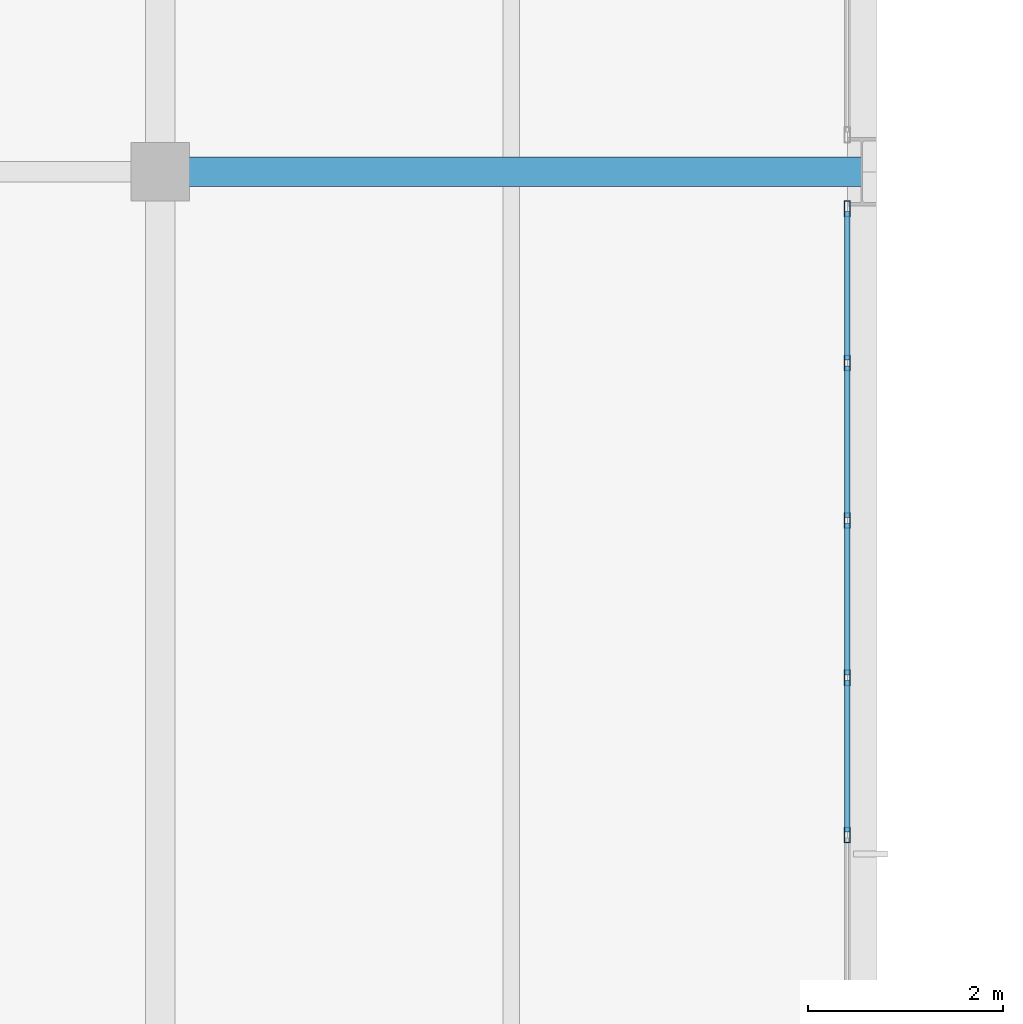
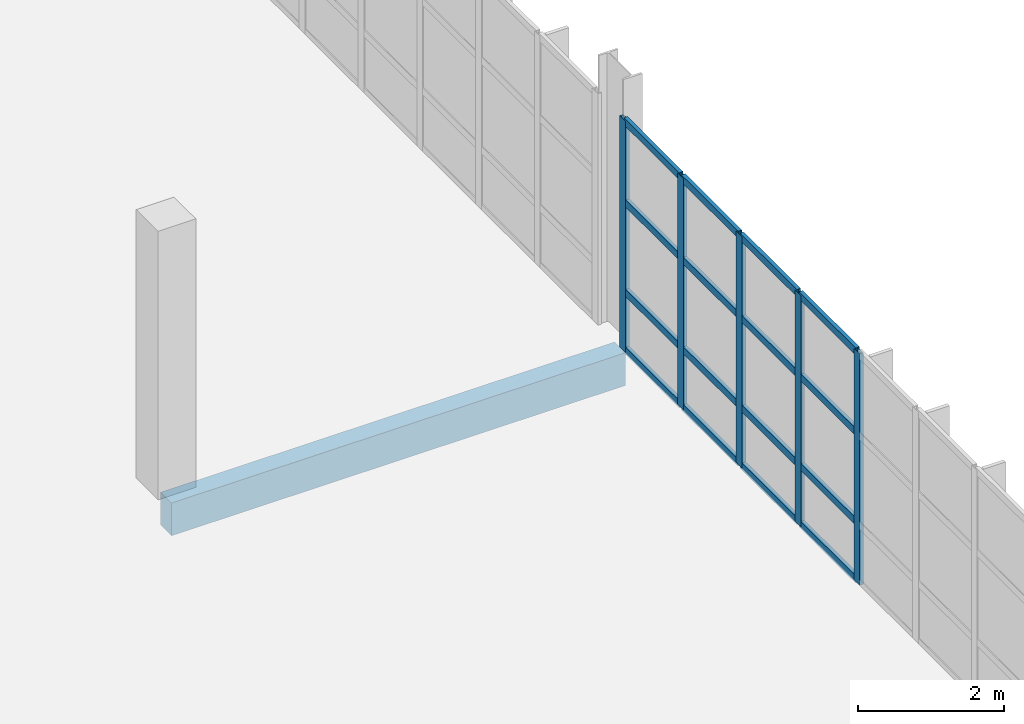
# One storey, part 80 of 113: 21 members, 1 beam, 1 element without a shape of its own.
"""IFC4 building model written with IfcOpenShell, lengths in metres."""

from ifc_helpers import new_model, si_unit, direction, frame, origin, origin_2d, place, context, subcontext, project, spatial, rectangle, hollow_rectangle, extrude, material, material_profile, profile_set, type_object, element, aggregate, save


model = new_model("IFC4")

# Units and contexts
model_context = context("Model", 3, precision=1e-05, world=origin(), true_north=direction((0.0, 1.0)))
body_context = subcontext(model_context, "Body", "Model", "MODEL_VIEW")
ifc_project = project(units=[si_unit("LENGTHUNIT", "METRE"), si_unit("AREAUNIT", "SQUARE_METRE"), si_unit("VOLUMEUNIT", "CUBIC_METRE"), si_unit("PLANEANGLEUNIT", "RADIAN"), si_unit("MASSUNIT", "GRAM", prefix="KILO")], contexts=[model_context])

# Site, building, storey
site_placement = place(None, origin())
site = spatial("IfcSite", under=ifc_project, at=site_placement, CompositionType="ELEMENT")
building_placement = place(site_placement, origin())
building = spatial("IfcBuilding", under=site, at=building_placement, Name="Veltarok Museum of Natural Sciences", CompositionType="ELEMENT")
storey_placement = place(building_placement, frame((0.0, 0.0, 8.39990234375)))
storey = spatial("IfcBuildingStorey", under=building, at=storey_placement, Name="L01", CompositionType="ELEMENT", Elevation=8.39990234375)

# Curtain wall, members
ifc_material_1 = material(Name="Low-iron triple insulated glass", Category="glass")
curtain_wall_type = type_object("IfcCurtainWallType", Name="Curtain Wall System CW-V5E-L01-F-1130x388 (V5 East Lab L01 F-G 1130x388cm)", PredefinedType="NOTDEFINED", material=ifc_material_1)
curtain_wall_placement = place(storey_placement, origin())
curtain_wall = element("IfcCurtainWall", 1, at=curtain_wall_placement, inside=storey, type_object=curtain_wall_type, Name="Curtain Wall CW-V5E-L01-F-1130x388 CW-0107", PredefinedType="NOTDEFINED")
ifc_material_2 = material(Name="Thermally broken anodised aluminium", Category="aluminium")
ifc_material_profile_1 = material_profile(ifc_material_2, hollow_rectangle(XDim=0.06005859375, YDim=0.1201171875, WallThickness=0.0048828125, at=origin_2d()), Name="CW TRANSOM 60x120x5")
ifc_profile_set_1 = profile_set([ifc_material_profile_1], Name="Thermally broken anodised aluminium")
member_type_1 = type_object("IfcMemberType", Name="Curtain Wall Horizontal Transom 60x120x5", PredefinedType="USERDEFINED", material=ifc_profile_set_1)
member_1_placement = place(storey_placement, frame((164.64990234375, 53.222900390625, 0.030029296875), z_axis=(0.0, 1.0, 0.0), x_axis=(-1.0, 0.0, 0.0)))
member_1 = element("IfcMember", 2, at=member_1_placement, type_object=member_type_1, Name="CW-V5E-L01-F-1130x388 transom 4.1", ObjectType="TRANSOM", PredefinedType="USERDEFINED", context=body_context, shape_type="SweptSolid", body=[
    extrude(hollow_rectangle(XDim=0.06005859375, YDim=0.1201171875, WallThickness=0.0048828125, at=origin_2d()), origin(), (0.0, 0.0, 1.0), 1.55419921875),
])
member_2_placement = place(storey_placement, frame((164.64990234375, 53.222900390625, 1.0), z_axis=(0.0, 1.0, 0.0), x_axis=(-1.0, 0.0, 0.0)))
member_2 = element("IfcMember", 3, at=member_2_placement, type_object=member_type_1, Name="CW-V5E-L01-F-1130x388 transom 4.2", ObjectType="TRANSOM", PredefinedType="USERDEFINED", context=body_context, shape_type="SweptSolid", body=[
    extrude(hollow_rectangle(XDim=0.06005859375, YDim=0.1201171875, WallThickness=0.0048828125, at=origin_2d()), origin(), (0.0, 0.0, 1.0), 1.55419921875),
])
member_3_placement = place(storey_placement, frame((164.64990234375, 53.222900390625, 2.5), z_axis=(0.0, 1.0, 0.0), x_axis=(-1.0, 0.0, 0.0)))
member_3 = element("IfcMember", 4, at=member_3_placement, type_object=member_type_1, Name="CW-V5E-L01-F-1130x388 transom 4.3", ObjectType="TRANSOM", PredefinedType="USERDEFINED", context=body_context, shape_type="SweptSolid", body=[
    extrude(hollow_rectangle(XDim=0.06005859375, YDim=0.1201171875, WallThickness=0.0048828125, at=origin_2d()), origin(), (0.0, 0.0, 1.0), 1.55419921875),
])
member_4_placement = place(storey_placement, frame((164.64990234375, 53.222900390625, 3.85009765625), z_axis=(0.0, 1.0, 0.0), x_axis=(-1.0, 0.0, 0.0)))
member_4 = element("IfcMember", 5, at=member_4_placement, type_object=member_type_1, Name="CW-V5E-L01-F-1130x388 transom 4.4", ObjectType="TRANSOM", PredefinedType="USERDEFINED", context=body_context, shape_type="SweptSolid", body=[
    extrude(hollow_rectangle(XDim=0.06005859375, YDim=0.1201171875, WallThickness=0.0048828125, at=origin_2d()), origin(), (0.0, 0.0, 1.0), 1.55419921875),
])
member_5_placement = place(storey_placement, frame((164.64990234375, 54.837158203125, 0.030029296875), z_axis=(0.0, 1.0, 0.0), x_axis=(-1.0, 0.0, 0.0)))
member_5 = element("IfcMember", 6, at=member_5_placement, type_object=member_type_1, Name="CW-V5E-L01-F-1130x388 transom 5.1", ObjectType="TRANSOM", PredefinedType="USERDEFINED", context=body_context, shape_type="SweptSolid", body=[
    extrude(hollow_rectangle(XDim=0.06005859375, YDim=0.1201171875, WallThickness=0.0048828125, at=origin_2d()), origin(), (0.0, 0.0, 1.0), 1.55419921875),
])
member_6_placement = place(storey_placement, frame((164.64990234375, 54.837158203125, 1.0), z_axis=(0.0, 1.0, 0.0), x_axis=(-1.0, 0.0, 0.0)))
member_6 = element("IfcMember", 7, at=member_6_placement, type_object=member_type_1, Name="CW-V5E-L01-F-1130x388 transom 5.2", ObjectType="TRANSOM", PredefinedType="USERDEFINED", context=body_context, shape_type="SweptSolid", body=[
    extrude(hollow_rectangle(XDim=0.06005859375, YDim=0.1201171875, WallThickness=0.0048828125, at=origin_2d()), origin(), (0.0, 0.0, 1.0), 1.55419921875),
])
member_7_placement = place(storey_placement, frame((164.64990234375, 54.837158203125, 2.5), z_axis=(0.0, 1.0, 0.0), x_axis=(-1.0, 0.0, 0.0)))
member_7 = element("IfcMember", 8, at=member_7_placement, type_object=member_type_1, Name="CW-V5E-L01-F-1130x388 transom 5.3", ObjectType="TRANSOM", PredefinedType="USERDEFINED", context=body_context, shape_type="SweptSolid", body=[
    extrude(hollow_rectangle(XDim=0.06005859375, YDim=0.1201171875, WallThickness=0.0048828125, at=origin_2d()), origin(), (0.0, 0.0, 1.0), 1.55419921875),
])
member_8_placement = place(storey_placement, frame((164.64990234375, 54.837158203125, 3.85009765625), z_axis=(0.0, 1.0, 0.0), x_axis=(-1.0, 0.0, 0.0)))
member_8 = element("IfcMember", 9, at=member_8_placement, type_object=member_type_1, Name="CW-V5E-L01-F-1130x388 transom 5.4", ObjectType="TRANSOM", PredefinedType="USERDEFINED", context=body_context, shape_type="SweptSolid", body=[
    extrude(hollow_rectangle(XDim=0.06005859375, YDim=0.1201171875, WallThickness=0.0048828125, at=origin_2d()), origin(), (0.0, 0.0, 1.0), 1.55419921875),
])
member_9_placement = place(storey_placement, frame((164.64990234375, 56.451416015625, 0.030029296875), z_axis=(0.0, 1.0, 0.0), x_axis=(-1.0, 0.0, 0.0)))
member_9 = element("IfcMember", 10, at=member_9_placement, type_object=member_type_1, Name="CW-V5E-L01-F-1130x388 transom 6.1", ObjectType="TRANSOM", PredefinedType="USERDEFINED", context=body_context, shape_type="SweptSolid", body=[
    extrude(hollow_rectangle(XDim=0.06005859375, YDim=0.1201171875, WallThickness=0.0048828125, at=origin_2d()), origin(), (0.0, 0.0, 1.0), 1.55419921875),
])
member_10_placement = place(storey_placement, frame((164.64990234375, 56.451416015625, 1.0), z_axis=(0.0, 1.0, 0.0), x_axis=(-1.0, 0.0, 0.0)))
member_10 = element("IfcMember", 11, at=member_10_placement, type_object=member_type_1, Name="CW-V5E-L01-F-1130x388 transom 6.2", ObjectType="TRANSOM", PredefinedType="USERDEFINED", context=body_context, shape_type="SweptSolid", body=[
    extrude(hollow_rectangle(XDim=0.06005859375, YDim=0.1201171875, WallThickness=0.0048828125, at=origin_2d()), origin(), (0.0, 0.0, 1.0), 1.55419921875),
])
member_11_placement = place(storey_placement, frame((164.64990234375, 56.451416015625, 2.5), z_axis=(0.0, 1.0, 0.0), x_axis=(-1.0, 0.0, 0.0)))
member_11 = element("IfcMember", 12, at=member_11_placement, type_object=member_type_1, Name="CW-V5E-L01-F-1130x388 transom 6.3", ObjectType="TRANSOM", PredefinedType="USERDEFINED", context=body_context, shape_type="SweptSolid", body=[
    extrude(hollow_rectangle(XDim=0.06005859375, YDim=0.1201171875, WallThickness=0.0048828125, at=origin_2d()), origin(), (0.0, 0.0, 1.0), 1.55419921875),
])
member_12_placement = place(storey_placement, frame((164.64990234375, 56.451416015625, 3.85009765625), z_axis=(0.0, 1.0, 0.0), x_axis=(-1.0, 0.0, 0.0)))
member_12 = element("IfcMember", 13, at=member_12_placement, type_object=member_type_1, Name="CW-V5E-L01-F-1130x388 transom 6.4", ObjectType="TRANSOM", PredefinedType="USERDEFINED", context=body_context, shape_type="SweptSolid", body=[
    extrude(hollow_rectangle(XDim=0.06005859375, YDim=0.1201171875, WallThickness=0.0048828125, at=origin_2d()), origin(), (0.0, 0.0, 1.0), 1.55419921875),
])
member_13_placement = place(storey_placement, frame((164.64990234375, 58.065673828125, 0.030029296875), z_axis=(0.0, 1.0, 0.0), x_axis=(-1.0, 0.0, 0.0)))
member_13 = element("IfcMember", 14, at=member_13_placement, type_object=member_type_1, Name="CW-V5E-L01-F-1130x388 transom 7.1", ObjectType="TRANSOM", PredefinedType="USERDEFINED", context=body_context, shape_type="SweptSolid", body=[
    extrude(hollow_rectangle(XDim=0.06005859375, YDim=0.1201171875, WallThickness=0.0048828125, at=origin_2d()), origin(), (0.0, 0.0, 1.0), 1.5244140625),
])
member_14_placement = place(storey_placement, frame((164.64990234375, 58.065673828125, 1.0), z_axis=(0.0, 1.0, 0.0), x_axis=(-1.0, 0.0, 0.0)))
member_14 = element("IfcMember", 15, at=member_14_placement, type_object=member_type_1, Name="CW-V5E-L01-F-1130x388 transom 7.2", ObjectType="TRANSOM", PredefinedType="USERDEFINED", context=body_context, shape_type="SweptSolid", body=[
    extrude(hollow_rectangle(XDim=0.06005859375, YDim=0.1201171875, WallThickness=0.0048828125, at=origin_2d()), origin(), (0.0, 0.0, 1.0), 1.5244140625),
])
member_15_placement = place(storey_placement, frame((164.64990234375, 58.065673828125, 2.5), z_axis=(0.0, 1.0, 0.0), x_axis=(-1.0, 0.0, 0.0)))
member_15 = element("IfcMember", 16, at=member_15_placement, type_object=member_type_1, Name="CW-V5E-L01-F-1130x388 transom 7.3", ObjectType="TRANSOM", PredefinedType="USERDEFINED", context=body_context, shape_type="SweptSolid", body=[
    extrude(hollow_rectangle(XDim=0.06005859375, YDim=0.1201171875, WallThickness=0.0048828125, at=origin_2d()), origin(), (0.0, 0.0, 1.0), 1.5244140625),
])
member_16_placement = place(storey_placement, frame((164.64990234375, 58.065673828125, 3.85009765625), z_axis=(0.0, 1.0, 0.0), x_axis=(-1.0, 0.0, 0.0)))
member_16 = element("IfcMember", 17, at=member_16_placement, type_object=member_type_1, Name="CW-V5E-L01-F-1130x388 transom 7.4", ObjectType="TRANSOM", PredefinedType="USERDEFINED", context=body_context, shape_type="SweptSolid", body=[
    extrude(hollow_rectangle(XDim=0.06005859375, YDim=0.1201171875, WallThickness=0.0048828125, at=origin_2d()), origin(), (0.0, 0.0, 1.0), 1.5244140625),
])
ifc_material_profile_2 = material_profile(ifc_material_2, hollow_rectangle(XDim=0.06005859375, YDim=0.159912109375, WallThickness=0.0048828125, at=origin_2d()), Name="CW MULLION 60x160x5")
ifc_profile_set_2 = profile_set([ifc_material_profile_2], Name="Thermally broken anodised aluminium")
member_type_2 = type_object("IfcMemberType", Name="Curtain Wall Vertical Mullion 60x160x5", PredefinedType="MULLION", material=ifc_profile_set_2)
member_17_placement = place(storey_placement, frame((164.64990234375, 53.19287109375, 0.0), z_axis=(0.0, 0.0, 1.0), x_axis=(-1.0, 0.0, 0.0)))
member_17 = element("IfcMember", 18, at=member_17_placement, type_object=member_type_2, Name="CW-V5E-L01-F-1130x388 mullion 4", PredefinedType="MULLION", context=body_context, shape_type="SweptSolid", body=[
    extrude(hollow_rectangle(XDim=0.06005859375, YDim=0.159912109375, WallThickness=0.0048828125, at=origin_2d()), origin(), (0.0, 0.0, 1.0), 3.880126953125),
])
member_18_placement = place(storey_placement, frame((164.64990234375, 54.80712890625, 0.0), z_axis=(0.0, 0.0, 1.0), x_axis=(-1.0, 0.0, 0.0)))
member_18 = element("IfcMember", 19, at=member_18_placement, type_object=member_type_2, Name="CW-V5E-L01-F-1130x388 mullion 5", PredefinedType="MULLION", context=body_context, shape_type="SweptSolid", body=[
    extrude(hollow_rectangle(XDim=0.06005859375, YDim=0.159912109375, WallThickness=0.0048828125, at=origin_2d()), origin(), (0.0, 0.0, 1.0), 3.880126953125),
])
member_19_placement = place(storey_placement, frame((164.64990234375, 56.42138671875, 0.0), z_axis=(0.0, 0.0, 1.0), x_axis=(-1.0, 0.0, 0.0)))
member_19 = element("IfcMember", 20, at=member_19_placement, type_object=member_type_2, Name="CW-V5E-L01-F-1130x388 mullion 6", PredefinedType="MULLION", context=body_context, shape_type="SweptSolid", body=[
    extrude(hollow_rectangle(XDim=0.06005859375, YDim=0.159912109375, WallThickness=0.0048828125, at=origin_2d()), origin(), (0.0, 0.0, 1.0), 3.880126953125),
])
member_20_placement = place(storey_placement, frame((164.64990234375, 58.03564453125, 0.0), z_axis=(0.0, 0.0, 1.0), x_axis=(-1.0, 0.0, 0.0)))
member_20 = element("IfcMember", 21, at=member_20_placement, type_object=member_type_2, Name="CW-V5E-L01-F-1130x388 mullion 7", PredefinedType="MULLION", context=body_context, shape_type="SweptSolid", body=[
    extrude(hollow_rectangle(XDim=0.06005859375, YDim=0.159912109375, WallThickness=0.0048828125, at=origin_2d()), origin(), (0.0, 0.0, 1.0), 3.880126953125),
])
member_21_placement = place(storey_placement, frame((164.64990234375, 59.6201171875, 0.0), z_axis=(0.0, 0.0, 1.0), x_axis=(-1.0, 0.0, 0.0)))
member_21 = element("IfcMember", 22, at=member_21_placement, type_object=member_type_2, Name="CW-V5E-L01-F-1130x388 mullion 8", PredefinedType="MULLION", context=body_context, shape_type="SweptSolid", body=[
    extrude(hollow_rectangle(XDim=0.06005859375, YDim=0.159912109375, WallThickness=0.0048828125, at=origin_2d()), origin(), (0.0, 0.0, 1.0), 3.880126953125),
])
aggregate(curtain_wall, [member_17, member_18, member_19, member_20, member_21, member_1, member_2, member_3, member_4, member_5, member_6, member_7, member_8, member_9, member_10, member_11, member_12, member_13, member_14, member_15, member_16])

# Beam
ifc_material_3 = material(Name="Precast concrete C40/50", Category="concrete")
ifc_material_profile_3 = material_profile(ifc_material_3, rectangle(XDim=0.300048828125, YDim=0.550048828125, at=origin_2d()), Name="RC 300x550")
ifc_profile_set_3 = profile_set([ifc_material_profile_3], Name="Precast concrete C40/50")
beam_type = type_object("IfcBeamType", Name="East Wing Precast Spandrel RC 300x550", PredefinedType="SPANDREL", material=ifc_profile_set_3)
beam_placement = place(storey_placement, frame((157.60009765625, 60.0, -0.52490234375), z_axis=(1.0, 0.0, 0.0), x_axis=(0.0, 1.0, 0.0)))
element("IfcBeam", 23, at=beam_placement, inside=storey, type_object=beam_type, Name="Beam BM-SP02 L01 19-20/G", PredefinedType="SPANDREL", context=body_context, shape_type="SweptSolid", body=[
    extrude(rectangle(XDim=0.300048828125, YDim=0.550048828125, at=origin_2d()), origin(), (0.0, 0.0, 1.0), 7.199951171875),
])

save(model, "model.ifc")
